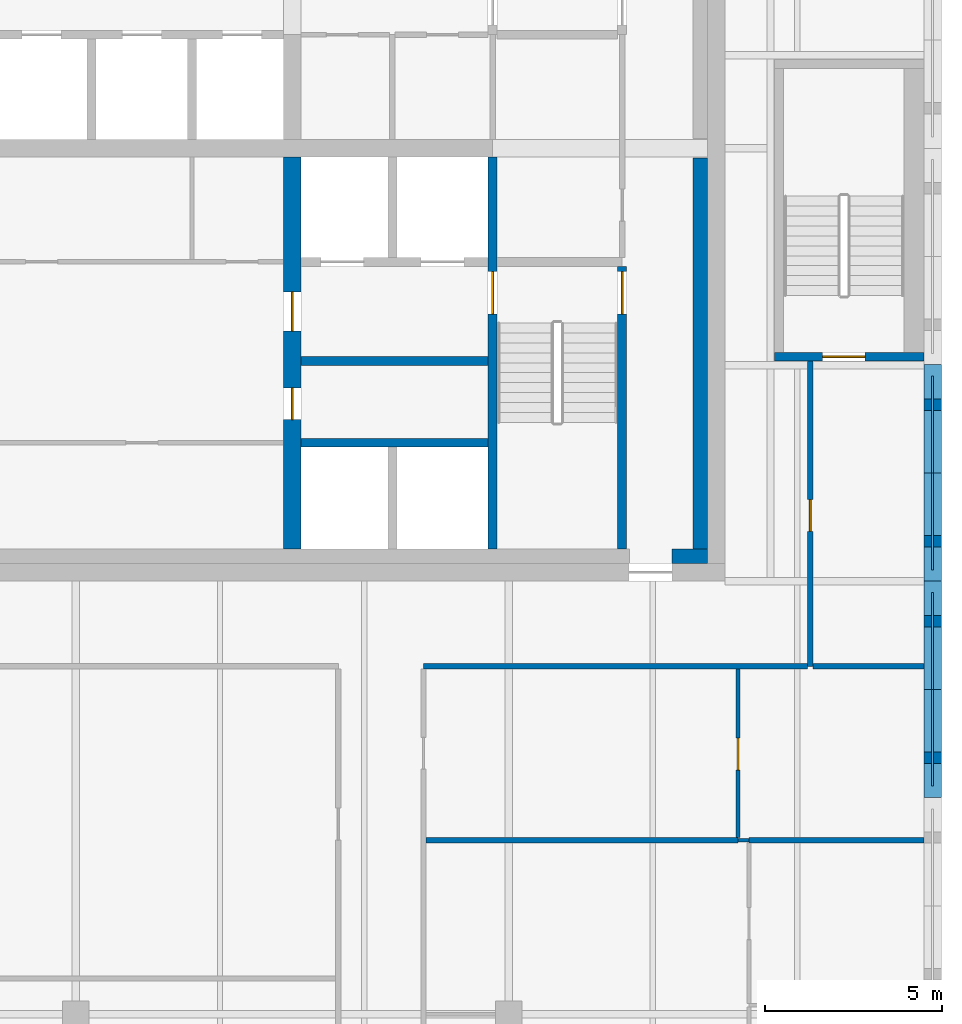
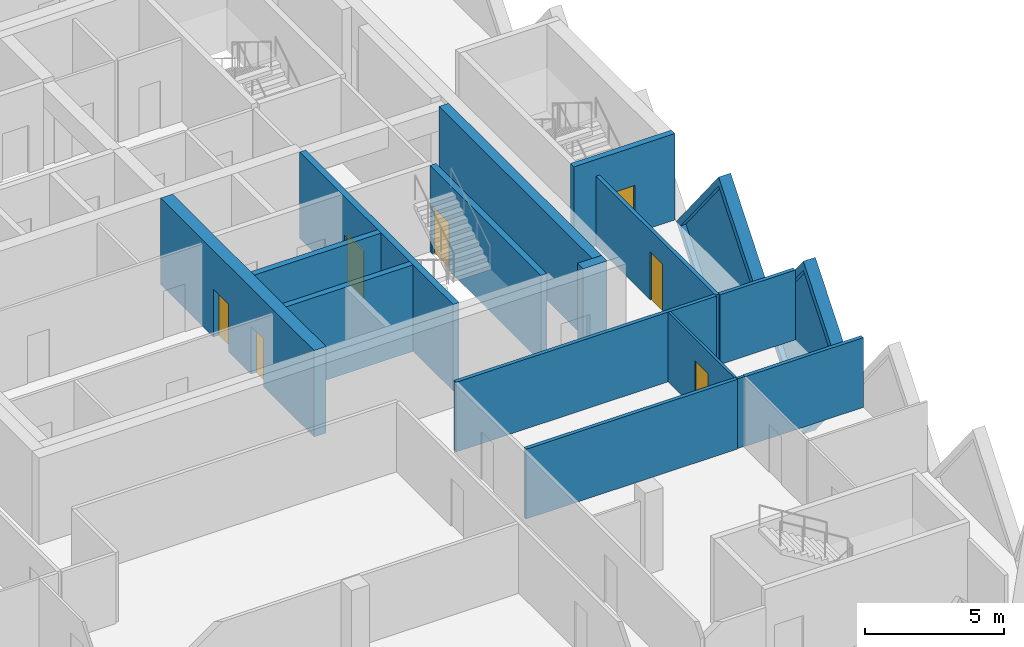
# One storey, part 6 of 12: 17 walls, 7 doors, 2 plates, 9 openings.
"""IFC4 building model written with IfcOpenShell, lengths in metres."""

from ifc_helpers import new_model, si_unit, direction, frame, frame_2d, origin, place, context, subcontext, project, spatial, polyline, rectangle, outline, extrude, faceted_brep, source, transform, mapped, material, layer, layer_set, type_object, element, fill, save


model = new_model("IFC4")

# Units and contexts
model_context = context("Model", 3, precision=1e-05, world=origin(), true_north=direction((0.0, 1.0)))
body_context = subcontext(model_context, "Body", "Model", "MODEL_VIEW")
ifc_project = project(units=[si_unit("LENGTHUNIT", "METRE"), si_unit("AREAUNIT", "SQUARE_METRE"), si_unit("VOLUMEUNIT", "CUBIC_METRE"), si_unit("PLANEANGLEUNIT", "RADIAN"), si_unit("MASSUNIT", "GRAM", prefix="KILO")], contexts=[model_context])

# Site, building, storey
site_placement = place(None, origin())
site = spatial("IfcSite", under=ifc_project, at=site_placement, CompositionType="ELEMENT")
building_placement = place(site_placement, origin())
building = spatial("IfcBuilding", under=site, at=building_placement, Name="Tessera Gate Towers", CompositionType="ELEMENT")
storey_placement = place(building_placement, frame((0.0, 0.0, 213.10009765625)))
storey = spatial("IfcBuildingStorey", under=building, at=storey_placement, Name="L53", CompositionType="ELEMENT", Elevation=213.10009765625)

# Wall, opening, door
ifc_material_1 = material(Name="Concrete C40/50", Category="concrete")
ifc_layer_1 = layer(ifc_material_1, 0.25)
ifc_layer_set_1 = layer_set([ifc_layer_1], Name="CORE ENCLOSURE WALL 250")
wall_type_1 = type_object("IfcWallType", Name="CORE ENCLOSURE WALL 250", PredefinedType="SOLIDWALL", material=ifc_layer_set_1)
wall_1_placement = place(storey_placement, frame((48.35009765625, 36.35009765625, 0.0), z_axis=(0.0, 0.0, 1.0), x_axis=(0.0, -1.0, 0.0)))
wall_1 = element("IfcWall", 1, at=wall_1_placement, inside=storey, type_object=wall_type_1, Name="L53 shaft and stair enclosure wall", PredefinedType="SOLIDWALL", context=body_context, shape_type="SweptSolid", body=[
    extrude(rectangle(XDim=11.050048828125, YDim=0.25, at=frame_2d((5.52490234375, 0.0))), origin(), (0.0, 0.0, 1.0), 3.7998046875),
])
shared_shape_1 = source(origin(), body_context, "Body", "SweptSolid", [
    extrude(rectangle(XDim=1.199951171875, YDim=2.10009765625, at=frame_2d((0.60009765625, 1.050048828125))), frame((0.0, 0.135009765625, 0.0), z_axis=(0.0, -1.0, 0.0), x_axis=(1.0, 0.0, 0.0)), (0.0, 0.0, 1.0), 0.27001953125),
])
opening_1_placement = place(wall_1_placement, frame((3.22509765625, 0.0, 0.0)))
opening_1 = element("IfcOpeningElement", 2, at=opening_1_placement, cuts=wall_1, Name="Opening SD-ST1-1", PredefinedType="OPENING", context=body_context, shape_type="MappedRepresentation", body=[
    mapped(shared_shape_1, transform((0.0, 0.0, 0.0), scale=1.0)),
])
ifc_material_2 = material(Name="Hollow steel fire door", Category="steel")
door_type_1 = type_object("IfcDoorType", Name="CORE DOOR SD 1200x2100", OperationType="NOTDEFINED", PredefinedType="DOOR", material=ifc_material_2)
shared_shape_2 = source(origin(), body_context, "Body", "SweptSolid", [
    extrude(rectangle(XDim=1.199951171875, YDim=2.10009765625, at=frame_2d((0.60009765625, 1.050048828125))), frame((0.0, 0.02490234375, 0.0), z_axis=(0.0, -1.0, 0.0), x_axis=(1.0, 0.0, 0.0)), (0.0, 0.0, 1.0), 0.050048828125),
])
door_1_placement = place(opening_1_placement, origin())
door_1 = element("IfcDoor", 3, at=door_1_placement, inside=storey, type_object=door_type_1, Name="Stair door", OperationType="SINGLE_SWING_LEFT", OverallHeight=2.10009765625, OverallWidth=1.199951171875, PredefinedType="DOOR", context=body_context, shape_type="MappedRepresentation", body=[
    mapped(shared_shape_2, transform((0.0, 0.0, 0.0), scale=1.0)),
])
fill(opening_1, door_1)

wall_2_placement = place(storey_placement, frame((52.0, 25.300048828125, 0.0), z_axis=(0.0, 0.0, 1.0), x_axis=(0.0, 1.0, 0.0)))
wall_2 = element("IfcWall", 4, at=wall_2_placement, inside=storey, type_object=wall_type_1, Name="L53 shaft and stair enclosure wall", PredefinedType="SOLIDWALL", context=body_context, shape_type="SweptSolid", body=[
    extrude(rectangle(XDim=7.974853515625, YDim=0.25, at=frame_2d((3.9873046875, 0.0))), origin(), (0.0, 0.0, 1.0), 3.7998046875),
])
opening_2_placement = place(wall_2_placement, frame((6.625, 0.0, 0.0)))
opening_2 = element("IfcOpeningElement", 5, at=opening_2_placement, cuts=wall_2, Name="Opening SD-ST1-2", PredefinedType="OPENING", context=body_context, shape_type="MappedRepresentation", body=[
    mapped(shared_shape_1, transform((0.0, 0.0, 0.0), scale=1.0)),
])
door_2_placement = place(opening_2_placement, origin())
door_2 = element("IfcDoor", 6, at=door_2_placement, inside=storey, type_object=door_type_1, Name="Stair door", OperationType="SINGLE_SWING_RIGHT", OverallHeight=2.10009765625, OverallWidth=1.199951171875, PredefinedType="DOOR", context=body_context, shape_type="MappedRepresentation", body=[
    mapped(shared_shape_2, transform((0.0, 0.0, 0.0), scale=1.0)),
])
fill(opening_2, door_2)

# Walls
for number, where, z_axis, x_axis, name in (
    (7, (42.949951171875, 28.300048828125, 0.0), (0.0, 0.0, 1.0), (1.0, 0.0, 0.0), "L53 shaft and stair enclosure wall"),
    (8, (42.949951171875, 30.60009765625, 0.0), (0.0, 0.0, 1.0), (1.0, 0.0, 0.0), "L53 shaft and stair enclosure wall"),
):
    element("IfcWall", number, at=place(storey_placement, frame(where, z_axis=z_axis, x_axis=x_axis)), inside=storey, type_object=wall_type_1, Name=name, PredefinedType="SOLIDWALL", context=body_context, shape_type="SweptSolid", body=[
        extrude(rectangle(XDim=5.275146484375, YDim=0.25, at=frame_2d((2.6376953125, 0.0))), origin(), (0.0, 0.0, 1.0), 3.7998046875),
    ])

# Wall, opening, door
wall_3_placement = place(storey_placement, frame((60.5, 30.72509765625, 0.0), z_axis=(0.0, 0.0, 1.0), x_axis=(-1.0, 0.0, 0.0)))
wall_3 = element("IfcWall", 9, at=wall_3_placement, inside=storey, type_object=wall_type_1, Name="L53 ST5 enclosure wall", PredefinedType="SOLIDWALL", context=body_context, shape_type="SweptSolid", body=[
    extrude(rectangle(XDim=4.199951171875, YDim=0.25, at=frame_2d((2.10009765625, 0.0))), origin(), (0.0, 0.0, 1.0), 3.7998046875),
])
opening_3_placement = place(wall_3_placement, frame((1.64990234375, 0.0, 0.0)))
opening_3 = element("IfcOpeningElement", 10, at=opening_3_placement, cuts=wall_3, Name="Opening SD-ST5-1", PredefinedType="OPENING", context=body_context, shape_type="MappedRepresentation", body=[
    mapped(shared_shape_1, transform((0.0, 0.0, 0.0), scale=1.0)),
])
door_3_placement = place(opening_3_placement, origin())
door_3 = element("IfcDoor", 11, at=door_3_placement, inside=storey, type_object=door_type_1, Name="Stair door", OperationType="SINGLE_SWING_RIGHT", OverallHeight=2.10009765625, OverallWidth=1.199951171875, PredefinedType="DOOR", context=body_context, shape_type="MappedRepresentation", body=[
    mapped(shared_shape_2, transform((0.0, 0.0, 0.0), scale=1.0)),
])
fill(opening_3, door_3)

# Wall, openings, doors
ifc_material_3 = material(Name="Concrete C50/60", Category="concrete")
ifc_layer_2 = layer(ifc_material_3, 0.5)
ifc_layer_set_2 = layer_set([ifc_layer_2], Name="CORE SPINE WALL 500 C50/60")
wall_type_2 = type_object("IfcWallType", Name="CORE SPINE WALL 500 C50/60", PredefinedType="SHEAR", material=ifc_layer_set_2)
wall_4_placement = place(storey_placement, frame((42.699951171875, 36.35009765625, 0.0), z_axis=(0.0, 0.0, 1.0), x_axis=(0.0, -1.0, 0.0)))
wall_4 = element("IfcWall", 12, at=wall_4_placement, inside=storey, type_object=wall_type_2, Name="Core wall spine L53", PredefinedType="SHEAR", context=body_context, shape_type="SweptSolid", body=[
    extrude(rectangle(XDim=11.050048828125, YDim=0.5, at=frame_2d((5.52490234375, 0.0))), origin(), (0.0, 0.0, 1.0), 3.7998046875),
])
shared_shape_3 = source(origin(), body_context, "Body", "SweptSolid", [
    extrude(rectangle(XDim=0.89990234375, YDim=2.10009765625, at=frame_2d((0.449951171875, 1.050048828125))), frame((0.0, 0.260009765625, 0.0), z_axis=(0.0, -1.0, 0.0), x_axis=(1.0, 0.0, 0.0)), (0.0, 0.0, 1.0), 0.52001953125),
])
opening_4_placement = place(wall_4_placement, frame((6.5, 0.0, 0.0)))
opening_4 = element("IfcOpeningElement", 13, at=opening_4_placement, cuts=wall_4, Name="Opening RD-T1-32-05", PredefinedType="OPENING", context=body_context, shape_type="MappedRepresentation", body=[
    mapped(shared_shape_3, transform((0.0, 0.0, 0.0), scale=1.0)),
])
shared_shape_4 = source(origin(), body_context, "Body", "SweptSolid", [
    extrude(rectangle(XDim=1.10009765625, YDim=2.10009765625, at=frame_2d((0.550048828125, 1.050048828125))), frame((0.0, 0.260009765625, 0.0), z_axis=(0.0, -1.0, 0.0), x_axis=(1.0, 0.0, 0.0)), (0.0, 0.0, 1.0), 0.52001953125),
])
opening_5_placement = place(wall_4_placement, frame((3.800048828125, 0.0, 0.0)))
opening_5 = element("IfcOpeningElement", 14, at=opening_5_placement, cuts=wall_4, Name="Opening FD-T1-32-06", PredefinedType="OPENING", context=body_context, shape_type="MappedRepresentation", body=[
    mapped(shared_shape_4, transform((0.0, 0.0, 0.0), scale=1.0)),
])
ifc_material_4 = material(Name="Hollow steel fire door", Category="steel")
door_type_2 = type_object("IfcDoorType", Name="CORE DOOR RD 900x2100", OperationType="NOTDEFINED", PredefinedType="DOOR", material=ifc_material_4)
shared_shape_5 = source(origin(), body_context, "Body", "SweptSolid", [
    extrude(rectangle(XDim=0.89990234375, YDim=2.10009765625, at=frame_2d((0.449951171875, 1.050048828125))), frame((0.0, 0.02490234375, 0.0), z_axis=(0.0, -1.0, 0.0), x_axis=(1.0, 0.0, 0.0)), (0.0, 0.0, 1.0), 0.050048828125),
])
door_4_placement = place(opening_4_placement, origin())
door_4 = element("IfcDoor", 15, at=door_4_placement, inside=storey, type_object=door_type_2, Name="Core room door", OperationType="SINGLE_SWING_RIGHT", OverallHeight=2.10009765625, OverallWidth=0.89990234375, PredefinedType="DOOR", context=body_context, shape_type="MappedRepresentation", body=[
    mapped(shared_shape_5, transform((0.0, 0.0, 0.0), scale=1.0)),
])
fill(opening_4, door_4)
ifc_material_5 = material(Name="Hollow steel fire door", Category="steel")
door_type_3 = type_object("IfcDoorType", Name="CORE DOOR FD 1100x2100", OperationType="NOTDEFINED", PredefinedType="DOOR", material=ifc_material_5)
shared_shape_6 = source(origin(), body_context, "Body", "SweptSolid", [
    extrude(rectangle(XDim=1.10009765625, YDim=2.10009765625, at=frame_2d((0.550048828125, 1.050048828125))), frame((0.0, 0.02490234375, 0.0), z_axis=(0.0, -1.0, 0.0), x_axis=(1.0, 0.0, 0.0)), (0.0, 0.0, 1.0), 0.050048828125),
])
door_5_placement = place(opening_5_placement, origin())
door_5 = element("IfcDoor", 16, at=door_5_placement, inside=storey, type_object=door_type_3, Name="Fire-fighting lobby door", OperationType="SINGLE_SWING_LEFT", OverallHeight=2.10009765625, OverallWidth=1.10009765625, PredefinedType="DOOR", context=body_context, shape_type="MappedRepresentation", body=[
    mapped(shared_shape_6, transform((0.0, 0.0, 0.0), scale=1.0)),
])
fill(opening_5, door_5)

# Walls
ifc_material_6 = material(Name="Concrete C50/60", Category="concrete")
ifc_layer_3 = layer(ifc_material_6, 0.39990234375)
ifc_layer_set_3 = layer_set([ifc_layer_3], Name="CORE WALL THICKENING 400")
wall_type_3 = type_object("IfcWallType", Name="CORE WALL THICKENING 400", PredefinedType="SOLIDWALL", material=ifc_layer_set_3)
wall_5_placement = place(storey_placement, frame((53.39990234375, 25.10009765625, 0.0), z_axis=(0.0, 0.0, 1.0), x_axis=(1.0, 0.0, 0.0)))
element("IfcWall", 17, at=wall_5_placement, inside=storey, type_object=wall_type_3, Name="Core wall thickening S L53", PredefinedType="SOLIDWALL", context=body_context, shape_type="SweptSolid", body=[
    extrude(rectangle(XDim=1.0, YDim=0.39990234375, at=frame_2d((0.5, 0.0))), origin(), (0.0, 0.0, 1.0), 3.7998046875),
])
wall_6_placement = place(storey_placement, frame((54.199951171875, 25.300048828125, 0.0), z_axis=(0.0, 0.0, 1.0), x_axis=(0.0, 1.0, 0.0)))
element("IfcWall", 18, at=wall_6_placement, inside=storey, type_object=wall_type_3, Name="Core wall thickening E L53", PredefinedType="SOLIDWALL", context=body_context, shape_type="SweptSolid", body=[
    extrude(rectangle(XDim=11.02001953125, YDim=0.39990234375, at=frame_2d((5.510009765625, 0.0))), origin(), (0.0, 0.0, 1.0), 3.7998046875),
])
ifc_material_7 = material(Name="Gypsum board on steel studs, mineral wool", Category="steel")
ifc_layer_4 = layer(ifc_material_7, 0.14990234375)
ifc_layer_set_4 = layer_set([ifc_layer_4], Name="CORRIDOR WALL 150")
wall_type_4 = type_object("IfcWallType", Name="CORRIDOR WALL 150", PredefinedType="PARTITIONING", material=ifc_layer_set_4)
wall_7_placement = place(storey_placement, frame((46.39990234375, 22.0, 0.0), z_axis=(0.0, 0.0, 1.0), x_axis=(1.0, 0.0, 0.0)))
element("IfcWall", 19, at=wall_7_placement, inside=storey, type_object=wall_type_4, Name="T1-L53-PW-029", PredefinedType="PARTITIONING", context=body_context, shape_type="SweptSolid", body=[
    extrude(rectangle(XDim=10.82421875, YDim=0.14990234375, at=frame_2d((5.412109375, 0.0))), origin(), (0.0, 0.0, 1.0), 3.06689453125),
])

# Wall, opening, door
wall_8_placement = place(storey_placement, frame((57.300048828125, 30.60009765625, 0.0), z_axis=(0.0, 0.0, 1.0), x_axis=(0.0, -1.0, 0.0)))
wall_8 = element("IfcWall", 20, at=wall_8_placement, inside=storey, type_object=wall_type_4, Name="T1-L53-PW-030", PredefinedType="PARTITIONING", context=body_context, shape_type="SweptSolid", body=[
    extrude(rectangle(XDim=8.60009765625, YDim=0.14990234375, at=frame_2d((4.300048828125, 0.0))), origin(), (0.0, 0.0, 1.0), 3.06689453125),
])
shared_shape_7 = source(origin(), body_context, "Body", "SweptSolid", [
    extrude(rectangle(XDim=0.89990234375, YDim=2.10009765625, at=frame_2d((0.449951171875, 1.050048828125))), frame((0.0, 0.0849609375, 0.0), z_axis=(0.0, -1.0, 0.0), x_axis=(1.0, 0.0, 0.0)), (0.0, 0.0, 1.0), 0.169921875),
])
opening_6_placement = place(wall_8_placement, frame((3.89990234375, 0.0, 0.0)))
opening_6 = element("IfcOpeningElement", 21, at=opening_6_placement, cuts=wall_8, Name="Opening D890FD60-A19-06", PredefinedType="OPENING", context=body_context, shape_type="MappedRepresentation", body=[
    mapped(shared_shape_7, transform((0.0, 0.0, 0.0), scale=1.0)),
])
ifc_material_8 = material(Name="Timber door leaf in steel frame", Category="steel")
door_type_4 = type_object("IfcDoorType", Name="CORRIDOR DOOR 900 FD60", OperationType="NOTDEFINED", PredefinedType="DOOR", material=ifc_material_8)
door_6_placement = place(opening_6_placement, origin())
door_6 = element("IfcDoor", 22, at=door_6_placement, inside=storey, type_object=door_type_4, Name="T1-L53-PD-021", OperationType="SINGLE_SWING_RIGHT", OverallHeight=2.10009765625, OverallWidth=0.89990234375, PredefinedType="DOOR", context=body_context, shape_type="MappedRepresentation", body=[
    mapped(shared_shape_5, transform((0.0, 0.0, 0.0), scale=1.0)),
])
fill(opening_6, door_6)

# Wall
ifc_material_9 = material(Name="Glass", Category="glass")
ifc_layer_5 = layer(ifc_material_9, 0.10009765625)
ifc_layer_set_5 = layer_set([ifc_layer_5], Name="GLAZED PARTITION 100")
wall_type_5 = type_object("IfcWallType", Name="GLAZED PARTITION 100", PredefinedType="PARTITIONING", material=ifc_layer_set_5)
wall_9_placement = place(storey_placement, frame((55.26611328125, 17.10009765625, 0.0), z_axis=(0.0, 0.0, 1.0), x_axis=(1.0, 0.0, 0.0)))
element("IfcWall", 23, at=wall_9_placement, inside=storey, type_object=wall_type_5, Name="T1-L53-PW-019", PredefinedType="PARTITIONING", context=body_context, shape_type="SweptSolid", body=[
    extrude(rectangle(XDim=0.307861328125, YDim=0.10009765625, at=frame_2d((0.15380859375, 0.0))), origin(), (0.0, 0.0, 1.0), 3.06689453125),
])

# Wall, opening, door
wall_10_placement = place(storey_placement, frame((55.264892578125, 21.924072265625, 0.0), z_axis=(0.0, 0.0, 1.0), x_axis=(0.0, -1.0, 0.0)))
wall_10 = element("IfcWall", 24, at=wall_10_placement, inside=storey, type_object=wall_type_5, Name="T1-L53-PW-021", PredefinedType="PARTITIONING", context=body_context, shape_type="SweptSolid", body=[
    extrude(rectangle(XDim=4.748046875, YDim=0.10009765625, at=frame_2d((2.3740234375, 0.0))), origin(), (0.0, 0.0, 1.0), 3.06689453125),
])
shared_shape_8 = source(origin(), body_context, "Body", "SweptSolid", [
    extrude(rectangle(XDim=0.89990234375, YDim=2.10009765625, at=frame_2d((0.449951171875, 1.050048828125))), frame((0.0, 0.06005859375, 0.0), z_axis=(0.0, -1.0, 0.0), x_axis=(1.0, 0.0, 0.0)), (0.0, 0.0, 1.0), 0.1201171875),
])
opening_7_placement = place(wall_10_placement, frame((1.947998046875, 0.0, 0.0)))
opening_7 = element("IfcOpeningElement", 25, at=opening_7_placement, cuts=wall_10, Name="Opening D690-A19-02", PredefinedType="OPENING", context=body_context, shape_type="MappedRepresentation", body=[
    mapped(shared_shape_8, transform((0.0, 0.0, 0.0), scale=1.0)),
])
ifc_material_10 = material(Name="Glass in aluminium frame", Category="aluminium")
door_type_5 = type_object("IfcDoorType", Name="GLAZED DOOR 900 NOT RATED", OperationType="NOTDEFINED", PredefinedType="DOOR", material=ifc_material_10)
door_7_placement = place(opening_7_placement, origin())
door_7 = element("IfcDoor", 26, at=door_7_placement, inside=storey, type_object=door_type_5, Name="T1-L53-PD-007", OperationType="SINGLE_SWING_RIGHT", OverallHeight=2.10009765625, OverallWidth=0.89990234375, PredefinedType="DOOR", context=body_context, shape_type="MappedRepresentation", body=[
    mapped(shared_shape_5, transform((0.0, 0.0, 0.0), scale=1.0)),
])
fill(opening_7, door_7)

# Walls
ifc_material_11 = material(Name="Gypsum board on steel studs, mineral wool", Category="steel")
ifc_layer_6 = layer(ifc_material_11, 0.14990234375)
ifc_layer_set_6 = layer_set([ifc_layer_6], Name="TENANCY WALL 150")
wall_type_6 = type_object("IfcWallType", Name="TENANCY WALL 150", PredefinedType="PARTITIONING", material=ifc_layer_set_6)
wall_11_placement = place(storey_placement, frame((46.47607421875, 17.10009765625, 0.0), z_axis=(0.0, 0.0, 1.0), x_axis=(1.0, 0.0, 0.0)))
element("IfcWall", 27, at=wall_11_placement, inside=storey, type_object=wall_type_6, Name="T1-L53-PW-018", PredefinedType="PARTITIONING", context=body_context, shape_type="SweptSolid", body=[
    extrude(rectangle(XDim=8.788818359375, YDim=0.14990234375, at=frame_2d((4.39453125, 0.0))), origin(), (0.0, 0.0, 1.0), 3.06689453125),
])
wall_12_placement = place(storey_placement, frame((55.574951171875, 17.10009765625, 0.0), z_axis=(0.0, 0.0, 1.0), x_axis=(1.0, 0.0, 0.0)))
element("IfcWall", 28, at=wall_12_placement, inside=storey, type_object=wall_type_6, Name="T1-L53-PW-020", PredefinedType="PARTITIONING", context=body_context, shape_type="SweptSolid", body=[
    extrude(rectangle(XDim=4.925048828125, YDim=0.14990234375, at=frame_2d((2.46240234375, 0.0))), origin(), (0.0, 0.0, 1.0), 3.06689453125),
])
wall_13_placement = place(storey_placement, frame((57.3759765625, 22.0, 0.0), z_axis=(0.0, 0.0, 1.0), x_axis=(1.0, 0.0, 0.0)))
element("IfcWall", 29, at=wall_13_placement, inside=storey, type_object=wall_type_6, Name="T1-L53-PW-031", PredefinedType="PARTITIONING", context=body_context, shape_type="SweptSolid", body=[
    extrude(rectangle(XDim=3.1240234375, YDim=0.14990234375, at=frame_2d((1.56201171875, 0.0))), origin(), (0.0, 0.0, 1.0), 3.06689453125),
])

# Wall, opening, plate
ifc_material_12 = material(Name="Precast concrete C60/75 white", Category="concrete")
ifc_layer_7 = layer(ifc_material_12, 0.5)
ifc_layer_set_7 = layer_set([ifc_layer_7], Name="TS1 tessera")
wall_type_7 = type_object("IfcWallType", Name="TS1 tessera", PredefinedType="SOLIDWALL", material=ifc_layer_set_7)
shared_shape_9 = source(origin(), body_context, "Body", "Brep", [
    faceted_brep([(3.050048828125, -0.25, 0.0), (6.099853515625, -0.25, 3.7998046875), (6.099853515625, -0.25, 3.80029296875), (3.050048828125, -0.25, 7.599853515625), (0.0, -0.25, 3.800048828125), (0.0, 0.25, 3.800048828125), (3.050048828125, 0.25, 7.599853515625), (6.099853515625, 0.25, 3.80029296875), (6.099853515625, 0.25, 3.7998046875), (3.050048828125, 0.25, 0.0)], [[[0, 1, 2, 3, 4]], [[5, 6, 7, 8, 9]], [[9, 8, 1, 0]], [[7, 6, 3, 2]], [[6, 5, 4, 3]], [[5, 9, 0, 4]], [[1, 8, 7, 2]]]),
])
wall_14_placement = place(storey_placement, frame((60.75, 18.300048828125, -3.800048828125), z_axis=(0.0, 0.0, 1.0), x_axis=(0.0, 1.0, 0.0)))
wall_14 = element("IfcWall", 30, at=wall_14_placement, inside=storey, type_object=wall_type_7, Name="Precast tessera T1 TS1-0925", PredefinedType="SOLIDWALL", context=body_context, shape_type="MappedRepresentation", body=[
    mapped(shared_shape_9, transform((0.0, 0.0, 0.0), scale=1.0)),
])
shared_shape_10 = source(origin(), body_context, "Body", "SweptSolid", [
    extrude(outline(polyline([(3.050048828125, 0.3994140625), (5.779541015625, 3.800048828125), (3.050048828125, 7.200439453125), (0.320556640625, 3.800048828125), (3.050048828125, 0.3994140625)])), frame((0.0, 0.260009765625, 0.0), z_axis=(0.0, -1.0, 0.0), x_axis=(1.0, 0.0, 0.0)), (0.0, 0.0, 1.0), 0.52001953125),
])
opening_8_placement = place(wall_14_placement, origin())
opening_8 = element("IfcOpeningElement", 31, at=opening_8_placement, cuts=wall_14, Name="Opening T1-PL2-1891", PredefinedType="OPENING", context=body_context, shape_type="MappedRepresentation", body=[
    mapped(shared_shape_10, transform((0.0, 0.0, 0.0), scale=1.0)),
])
ifc_material_13 = material(Name="Low-e laminated glass", Category="glass")
ifc_layer_8 = layer(ifc_material_13, 0.06005859375)
ifc_layer_set_8 = layer_set([ifc_layer_8], Name="PL2 rhombic pane")
plate_type = type_object("IfcPlateType", Name="PL2 rhombic pane", PredefinedType="SHEET", material=ifc_layer_set_8)
shared_shape_11 = source(origin(), body_context, "Body", "SweptSolid", [
    extrude(outline(polyline([(3.050048828125, 0.3994140625), (5.779541015625, 3.800048828125), (3.050048828125, 7.200439453125), (0.320556640625, 3.800048828125), (3.050048828125, 0.3994140625)])), frame((0.0, 0.030029296875, 0.0), z_axis=(0.0, -1.0, 0.0), x_axis=(1.0, 0.0, 0.0)), (0.0, 0.0, 1.0), 0.06005859375),
])
plate_1_placement = place(opening_8_placement, origin())
plate_1 = element("IfcPlate", 32, at=plate_1_placement, inside=storey, type_object=plate_type, Name="Glass pane T1 PL2-1891", PredefinedType="SHEET", context=body_context, shape_type="MappedRepresentation", body=[
    mapped(shared_shape_11, transform((0.0, 0.0, 0.0), scale=1.0)),
])
fill(opening_8, plate_1)

shared_shape_12 = source(origin(), body_context, "Body", "SweptSolid", [
    extrude(outline(polyline([(3.050048828125, 0.0), (6.10009765625, 3.800048828125), (3.050048828125, 7.599853515625), (0.0, 3.800048828125), (3.050048828125, 0.0)])), frame((0.0, 0.25, 0.0), z_axis=(0.0, -1.0, 0.0), x_axis=(1.0, 0.0, 0.0)), (0.0, 0.0, 1.0), 0.5),
])
wall_15_placement = place(storey_placement, frame((60.75, 24.39990234375, -3.800048828125), z_axis=(0.0, 0.0, 1.0), x_axis=(0.0, 1.0, 0.0)))
wall_15 = element("IfcWall", 33, at=wall_15_placement, inside=storey, type_object=wall_type_7, Name="Precast tessera T1 TS1-0926", PredefinedType="SOLIDWALL", context=body_context, shape_type="MappedRepresentation", body=[
    mapped(shared_shape_12, transform((0.0, 0.0, 0.0), scale=1.0)),
])
opening_9_placement = place(wall_15_placement, origin())
opening_9 = element("IfcOpeningElement", 34, at=opening_9_placement, cuts=wall_15, Name="Opening T1-PL2-1892", PredefinedType="OPENING", context=body_context, shape_type="MappedRepresentation", body=[
    mapped(shared_shape_10, transform((0.0, 0.0, 0.0), scale=1.0)),
])
plate_2_placement = place(opening_9_placement, origin())
plate_2 = element("IfcPlate", 35, at=plate_2_placement, inside=storey, type_object=plate_type, Name="Glass pane T1 PL2-1892", PredefinedType="SHEET", context=body_context, shape_type="MappedRepresentation", body=[
    mapped(shared_shape_11, transform((0.0, 0.0, 0.0), scale=1.0)),
])
fill(opening_9, plate_2)

save(model, "model.ifc")
